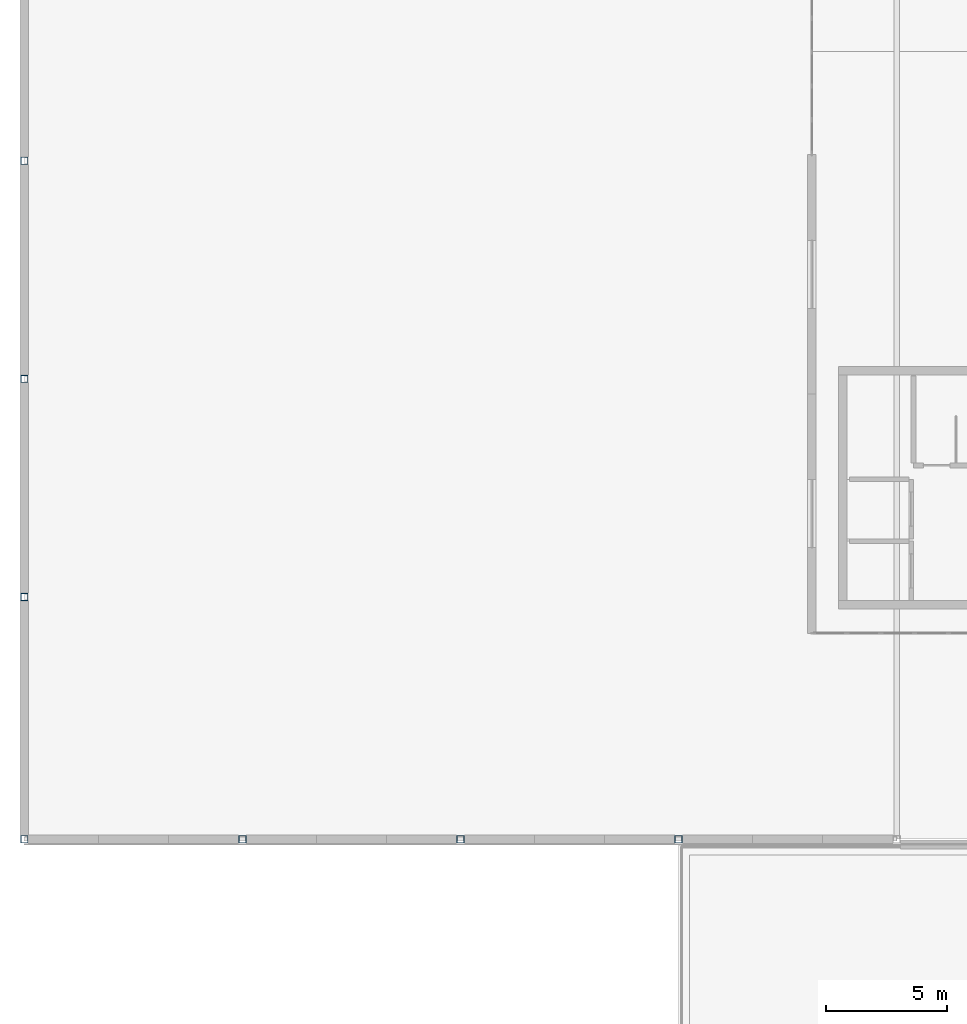
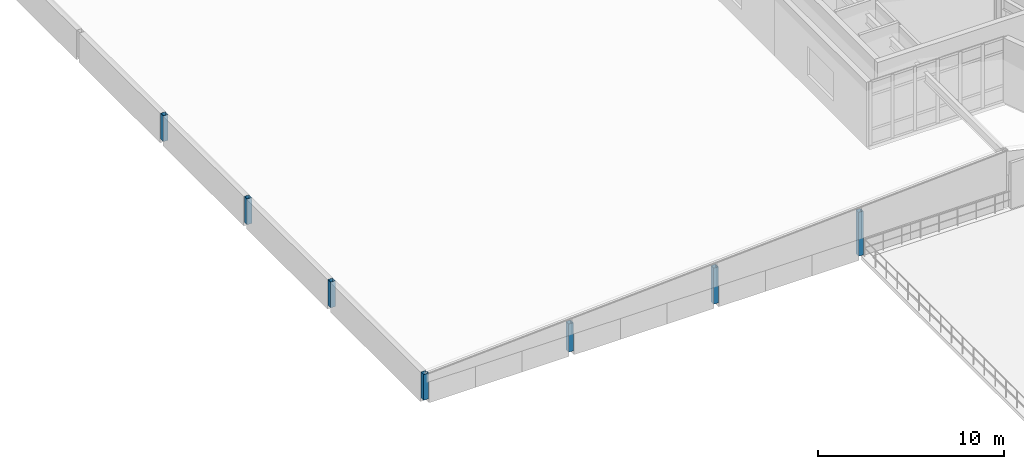
# One storey, part 2 of 48: 7 columns.
"""IFC4 building model written with IfcOpenShell, lengths in metres."""

from ifc_helpers import new_model, si_unit, direction, frame, origin, origin_2d, place, context, subcontext, project, spatial, hollow_rectangle, extrude, material, material_profile, profile_set, type_object, element, save


model = new_model("IFC4")

# Units and contexts
model_context = context("Model", 3, precision=1e-05, world=origin(), true_north=direction((0.0, 1.0)))
body_context = subcontext(model_context, "Body", "Model", "MODEL_VIEW")
ifc_project = project(units=[si_unit("LENGTHUNIT", "METRE"), si_unit("AREAUNIT", "SQUARE_METRE"), si_unit("VOLUMEUNIT", "CUBIC_METRE"), si_unit("PLANEANGLEUNIT", "RADIAN"), si_unit("MASSUNIT", "GRAM", prefix="KILO")], contexts=[model_context])

# Site, building, storey
site_placement = place(None, origin())
site = spatial("IfcSite", under=ifc_project, at=site_placement, CompositionType="ELEMENT")
building_placement = place(site_placement, origin())
building = spatial("IfcBuilding", under=site, at=building_placement, Name="Glasvene Arena", CompositionType="ELEMENT")
storey_placement = place(building_placement, frame((0.0, 0.0, 19.5)))
storey = spatial("IfcBuildingStorey", under=building, at=storey_placement, Name="L04", CompositionType="ELEMENT", Elevation=19.5)

# Columns
ifc_material = material(Name="Steel S355J2", Category="steel")
ifc_material_profile = material_profile(ifc_material, hollow_rectangle(XDim=0.300048828125, YDim=0.300048828125, WallThickness=0.012451171875, at=origin_2d()), Name="SHS 300x300x12.5")
ifc_profile_set = profile_set([ifc_material_profile], Name="Steel S355J2")
column_type = type_object("IfcColumnType", Name="COL-W-SHS300", PredefinedType="COLUMN", material=ifc_profile_set)
for number, where, z_axis, x_axis, name in (
    (1, (0.0, 54.0, 0.0), (0.0, 0.0, 1.0), (1.0, 0.0, 0.0), "Wing roof eave post V4-W-6"),
    (2, (0.0, 64.0, 0.0), (0.0, 0.0, 1.0), (1.0, 0.0, 0.0), "Wing roof eave post V4-W-7"),
    (3, (0.0, 73.0, 0.0), (0.0, 0.0, 1.0), (1.0, 0.0, 0.0), "Wing roof eave post V4-W-8"),
    (4, (0.0, 82.0, 0.0), (0.0, 0.0, 1.0), (1.0, 0.0, 0.0), "Wing roof eave post V4-W-9"),
):
    element("IfcColumn", number, at=place(storey_placement, frame(where, z_axis=z_axis, x_axis=x_axis)), inside=storey, type_object=column_type, Name=name, PredefinedType="COLUMN", context=body_context, shape_type="SweptSolid", body=[
        extrude(hollow_rectangle(XDim=0.300048828125, YDim=0.300048828125, WallThickness=0.012451171875, at=origin_2d()), origin(), (0.0, 0.0, 1.0), 1.68994140625),
    ])
column_1_placement = place(storey_placement, frame((9.0, 54.0, 0.0), z_axis=(0.0, 0.0, 1.0), x_axis=(1.0, 0.0, 0.0)))
element("IfcColumn", 5, at=column_1_placement, inside=storey, type_object=column_type, Name="Wing roof rafter post V4-GS-1", PredefinedType="COLUMN", context=body_context, shape_type="SweptSolid", body=[
    extrude(hollow_rectangle(XDim=0.300048828125, YDim=0.300048828125, WallThickness=0.012451171875, at=origin_2d()), origin(), (0.0, 0.0, 1.0), 1.850830078125),
])
column_2_placement = place(storey_placement, frame((18.0, 54.0, 0.0), z_axis=(0.0, 0.0, 1.0), x_axis=(1.0, 0.0, 0.0)))
element("IfcColumn", 6, at=column_2_placement, inside=storey, type_object=column_type, Name="Wing roof rafter post V4-GS-2", PredefinedType="COLUMN", context=body_context, shape_type="SweptSolid", body=[
    extrude(hollow_rectangle(XDim=0.300048828125, YDim=0.300048828125, WallThickness=0.012451171875, at=origin_2d()), origin(), (0.0, 0.0, 1.0), 2.36328125),
])
column_3_placement = place(storey_placement, frame((27.0, 54.0, 0.0), z_axis=(0.0, 0.0, 1.0), x_axis=(1.0, 0.0, 0.0)))
element("IfcColumn", 7, at=column_3_placement, inside=storey, type_object=column_type, Name="Wing roof rafter post V4-GS-3", PredefinedType="COLUMN", context=body_context, shape_type="SweptSolid", body=[
    extrude(hollow_rectangle(XDim=0.300048828125, YDim=0.300048828125, WallThickness=0.012451171875, at=origin_2d()), origin(), (0.0, 0.0, 1.0), 2.875732421875),
])

save(model, "model.ifc")
